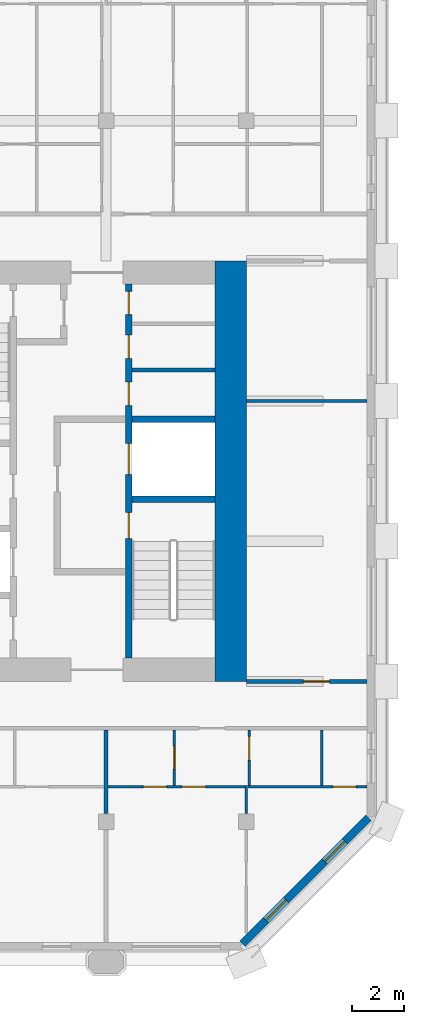
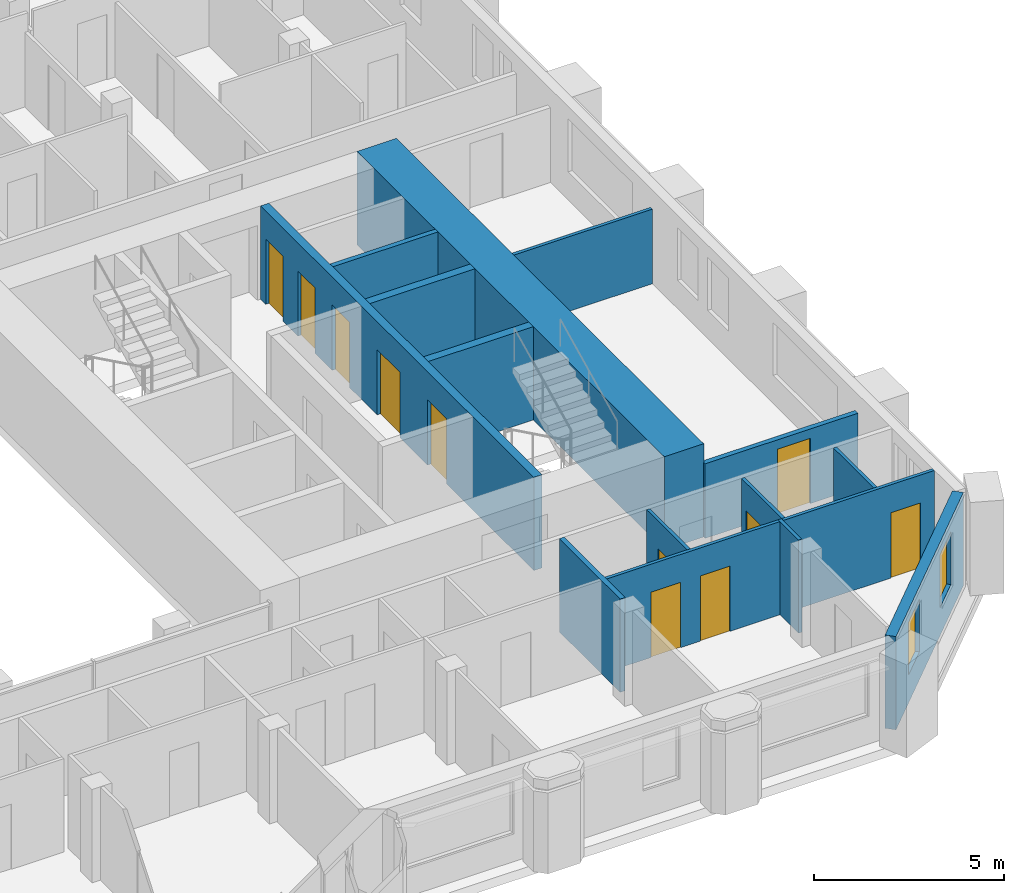
# One storey, part 7 of 13: 15 walls, 11 doors, 2 windows, 13 openings.
"""IFC4 building model written with IfcOpenShell, lengths in metres."""

from ifc_helpers import new_model, si_unit, direction, frame, frame_2d, origin, place, context, subcontext, project, spatial, rectangle, extrude, material, layer, layer_set, type_object, element, fill, save


model = new_model("IFC4")

# Units and contexts
model_context = context("Model", 3, precision=1e-05, world=origin(), true_north=direction((0.0, 1.0)))
body_context = subcontext(model_context, "Body", "Model", "MODEL_VIEW")
ifc_project = project(units=[si_unit("LENGTHUNIT", "METRE"), si_unit("AREAUNIT", "SQUARE_METRE"), si_unit("VOLUMEUNIT", "CUBIC_METRE"), si_unit("PLANEANGLEUNIT", "RADIAN"), si_unit("MASSUNIT", "GRAM", prefix="KILO")], contexts=[model_context])

# Site, building, storey
site_placement = place(None, origin())
site = spatial("IfcSite", under=ifc_project, at=site_placement, CompositionType="ELEMENT")
building_placement = place(site_placement, origin())
building = spatial("IfcBuilding", under=site, at=building_placement, Name="Tabaq Tower and Sports Hall", CompositionType="ELEMENT")
storey_placement = place(building_placement, frame((0.0, 0.0, 298.300048828125)))
storey = spatial("IfcBuildingStorey", under=building, at=storey_placement, Name="L74", CompositionType="ELEMENT", Elevation=298.300048828125)

# Walls
ifc_material_1 = material(Name="Blockwork", Category="masonry")
ifc_layer_1 = layer(ifc_material_1, 0.14990234375)
ifc_layer_set_1 = layer_set([ifc_layer_1], Name="Core room partition 150 Blockwork")
wall_type_1 = type_object("IfcWallType", Name="Core room partition 150 Blockwork", PredefinedType="PARTITIONING", material=ifc_layer_set_1)
wall_1_placement = place(storey_placement, frame((38.800048828125, 28.200927734375, 0.0), z_axis=(0.0, 0.0, 1.0), x_axis=(1.0, 0.0, 0.0)))
element("IfcWall", 1, at=wall_1_placement, inside=storey, type_object=wall_type_1, Name="Core room partition E L74", PredefinedType="PARTITIONING", context=body_context, shape_type="SweptSolid", body=[
    extrude(rectangle(XDim=3.199951171875, YDim=0.14990234375, at=frame_2d((1.60009765625, 0.0))), origin(), (0.0, 0.0, 1.0), 3.0),
])
ifc_material_2 = material(Name="Concrete C40/50", Category="concrete")
ifc_layer_2 = layer(ifc_material_2, 1.199951171875)
ifc_layer_set_2 = layer_set([ifc_layer_2], Name="Core wall 1200 Concrete C40/50")
wall_type_2 = type_object("IfcWallType", Name="Core wall 1200 Concrete C40/50", PredefinedType="SOLIDWALL", material=ifc_layer_set_2)
wall_2_placement = place(storey_placement, frame((42.60009765625, 32.39990234375, 0.0), z_axis=(0.0, 0.0, 1.0), x_axis=(0.0, -1.0, 0.0)))
element("IfcWall", 2, at=wall_2_placement, inside=storey, type_object=wall_type_2, Name="Core wall E L74", PredefinedType="SOLIDWALL", context=body_context, shape_type="SweptSolid", body=[
    extrude(rectangle(XDim=16.199951171875, YDim=1.199951171875, at=frame_2d((8.10009765625, 0.0))), origin(), (0.0, 0.0, 1.0), 3.0),
])
ifc_material_3 = material(Name="Gypsum board on steel studs", Category="steel")
ifc_layer_3 = layer(ifc_material_3, 0.10009765625)
ifc_layer_set_3 = layer_set([ifc_layer_3], Name="Partition 100 Gypsum board")
wall_type_3 = type_object("IfcWallType", Name="Partition 100 Gypsum board", PredefinedType="PARTITIONING", material=ifc_layer_set_3)
wall_3_placement = place(storey_placement, frame((43.199951171875, 27.0, 0.0), z_axis=(0.0, 0.0, 1.0), x_axis=(1.0, 0.0, 0.0)))
element("IfcWall", 3, at=wall_3_placement, inside=storey, type_object=wall_type_3, Name="Partition wall L74", PredefinedType="PARTITIONING", context=body_context, shape_type="SweptSolid", body=[
    extrude(rectangle(XDim=4.649169921875, YDim=0.10009765625, at=frame_2d((2.32470703125, 0.0))), origin(), (0.0, 0.0, 1.0), 2.39990234375),
])
wall_4_placement = place(storey_placement, frame((43.199951171875, 11.1201171875, 0.0), z_axis=(0.0, 0.0, 1.0), x_axis=(0.0, 1.0, 0.0)))
element("IfcWall", 4, at=wall_4_placement, inside=storey, type_object=wall_type_3, Name="Partition wall L74", PredefinedType="PARTITIONING", context=body_context, shape_type="SweptSolid", body=[
    extrude(rectangle(XDim=1.079833984375, YDim=0.10009765625, at=frame_2d((0.5400390625, 0.0))), origin(), (0.0, 0.0, 1.0), 3.0),
])

# Wall, openings, doors
wall_5_placement = place(storey_placement, frame((43.14990234375, 12.14990234375, 0.0), z_axis=(0.0, 0.0, 1.0), x_axis=(-1.0, 0.0, 0.0)))
wall_5 = element("IfcWall", 5, at=wall_5_placement, inside=storey, type_object=wall_type_3, Name="Partition wall L74", PredefinedType="PARTITIONING", context=body_context, shape_type="SweptSolid", body=[
    extrude(rectangle(XDim=5.27490234375, YDim=0.10009765625, at=frame_2d((2.637451171875, 0.0))), origin(), (0.0, 0.0, 1.0), 3.0),
])
opening_1_placement = place(wall_5_placement, frame((3.01708984375, 0.0, 0.0)))
opening_1 = element("IfcOpeningElement", 6, at=opening_1_placement, cuts=wall_5, Name="Opening L74-049", PredefinedType="OPENING", context=body_context, shape_type="SweptSolid", body=[
    extrude(rectangle(XDim=0.89990234375, YDim=2.10009765625, at=frame_2d((0.449951171875, 1.050048828125))), frame((0.0, 0.050048828125, 0.0), z_axis=(0.0, -1.0, 0.0), x_axis=(1.0, 0.0, 0.0)), (0.0, 0.0, 1.0), 0.10009765625),
])
opening_2_placement = place(wall_5_placement, frame((1.51708984375, 0.0, 0.0)))
opening_2 = element("IfcOpeningElement", 7, at=opening_2_placement, cuts=wall_5, Name="Opening L74-058", PredefinedType="OPENING", context=body_context, shape_type="SweptSolid", body=[
    extrude(rectangle(XDim=0.89990234375, YDim=2.10009765625, at=frame_2d((0.449951171875, 1.050048828125))), frame((0.0, 0.050048828125, 0.0), z_axis=(0.0, -1.0, 0.0), x_axis=(1.0, 0.0, 0.0)), (0.0, 0.0, 1.0), 0.10009765625),
])
ifc_material_4 = material(Name="Timber leaf in steel frame", Category="steel")
door_type_1 = type_object("IfcDoorType", Name="Internal door 900 left hand", OperationType="SINGLE_SWING_LEFT", PredefinedType="DOOR", material=ifc_material_4)
door_1_placement = place(opening_1_placement, origin())
door_1 = element("IfcDoor", 8, at=door_1_placement, inside=storey, type_object=door_type_1, Name="Internal door L74-049", OperationType="SINGLE_SWING_LEFT", OverallHeight=2.10009765625, OverallWidth=0.89990234375, PredefinedType="DOOR", context=body_context, shape_type="SweptSolid", body=[
    extrude(rectangle(XDim=0.89990234375, YDim=2.10009765625, at=frame_2d((0.449951171875, 1.050048828125))), frame((0.0, 0.02490234375, 0.0), z_axis=(0.0, -1.0, 0.0), x_axis=(1.0, 0.0, 0.0)), (0.0, 0.0, 1.0), 0.050048828125),
])
fill(opening_1, door_1)
ifc_material_5 = material(Name="Timber leaf in steel frame", Category="steel")
door_type_2 = type_object("IfcDoorType", Name="Internal door 900 right hand", OperationType="SINGLE_SWING_RIGHT", PredefinedType="DOOR", material=ifc_material_5)
door_2_placement = place(opening_2_placement, origin())
door_2 = element("IfcDoor", 9, at=door_2_placement, inside=storey, type_object=door_type_2, Name="Internal door L74-058", OperationType="SINGLE_SWING_RIGHT", OverallHeight=2.10009765625, OverallWidth=0.89990234375, PredefinedType="DOOR", context=body_context, shape_type="SweptSolid", body=[
    extrude(rectangle(XDim=0.89990234375, YDim=2.10009765625, at=frame_2d((0.449951171875, 1.050048828125))), frame((0.0, 0.02490234375, 0.0), z_axis=(0.0, -1.0, 0.0), x_axis=(1.0, 0.0, 0.0)), (0.0, 0.0, 1.0), 0.050048828125),
])
fill(opening_2, door_2)

# Wall, opening, door
wall_6_placement = place(storey_placement, frame((47.84912109375, 12.14990234375, 0.0), z_axis=(0.0, 0.0, 1.0), x_axis=(-1.0, 0.0, 0.0)))
wall_6 = element("IfcWall", 10, at=wall_6_placement, inside=storey, type_object=wall_type_3, Name="Partition wall L74", PredefinedType="PARTITIONING", context=body_context, shape_type="SweptSolid", body=[
    extrude(rectangle(XDim=4.587158203125, YDim=0.10009765625, at=frame_2d((2.29345703125, 0.0))), origin(), (0.0, 0.0, 1.0), 3.0),
])
opening_3_placement = place(wall_6_placement, frame((0.41796875, 0.0, 0.0)))
opening_3 = element("IfcOpeningElement", 11, at=opening_3_placement, cuts=wall_6, Name="Opening L74-025", PredefinedType="OPENING", context=body_context, shape_type="SweptSolid", body=[
    extrude(rectangle(XDim=0.89990234375, YDim=2.10009765625, at=frame_2d((0.449951171875, 1.050048828125))), frame((0.0, 0.050048828125, 0.0), z_axis=(0.0, -1.0, 0.0), x_axis=(1.0, 0.0, 0.0)), (0.0, 0.0, 1.0), 0.10009765625),
])
door_3_placement = place(opening_3_placement, origin())
door_3 = element("IfcDoor", 12, at=door_3_placement, inside=storey, type_object=door_type_2, Name="Internal door L74-025", OperationType="SINGLE_SWING_RIGHT", OverallHeight=2.10009765625, OverallWidth=0.89990234375, PredefinedType="DOOR", context=body_context, shape_type="SweptSolid", body=[
    extrude(rectangle(XDim=0.89990234375, YDim=2.10009765625, at=frame_2d((0.449951171875, 1.050048828125))), frame((0.0, 0.02490234375, 0.0), z_axis=(0.0, -1.0, 0.0), x_axis=(1.0, 0.0, 0.0)), (0.0, 0.0, 1.0), 0.050048828125),
])
fill(opening_3, door_3)

wall_7_placement = place(storey_placement, frame((40.43310546875, 12.199951171875, 0.0), z_axis=(0.0, 0.0, 1.0), x_axis=(0.0, 1.0, 0.0)))
wall_7 = element("IfcWall", 13, at=wall_7_placement, inside=storey, type_object=wall_type_3, Name="Partition wall L74", PredefinedType="PARTITIONING", context=body_context, shape_type="SweptSolid", body=[
    extrude(rectangle(XDim=2.125, YDim=0.10009765625, at=frame_2d((1.0625, 0.0))), origin(), (0.0, 0.0, 1.0), 3.0),
])
opening_4_placement = place(wall_7_placement, frame((0.625, 0.0, 0.0)))
opening_4 = element("IfcOpeningElement", 14, at=opening_4_placement, cuts=wall_7, Name="Opening L74-050", PredefinedType="OPENING", context=body_context, shape_type="SweptSolid", body=[
    extrude(rectangle(XDim=0.89990234375, YDim=2.10009765625, at=frame_2d((0.449951171875, 1.050048828125))), frame((0.0, 0.050048828125, 0.0), z_axis=(0.0, -1.0, 0.0), x_axis=(1.0, 0.0, 0.0)), (0.0, 0.0, 1.0), 0.10009765625),
])
door_4_placement = place(opening_4_placement, origin())
door_4 = element("IfcDoor", 15, at=door_4_placement, inside=storey, type_object=door_type_1, Name="Internal door L74-050", OperationType="SINGLE_SWING_LEFT", OverallHeight=2.10009765625, OverallWidth=0.89990234375, PredefinedType="DOOR", context=body_context, shape_type="SweptSolid", body=[
    extrude(rectangle(XDim=0.89990234375, YDim=2.10009765625, at=frame_2d((0.449951171875, 1.050048828125))), frame((0.0, 0.02490234375, 0.0), z_axis=(0.0, -1.0, 0.0), x_axis=(1.0, 0.0, 0.0)), (0.0, 0.0, 1.0), 0.050048828125),
])
fill(opening_4, door_4)

wall_8_placement = place(storey_placement, frame((43.31201171875, 12.199951171875, 0.0), z_axis=(0.0, 0.0, 1.0), x_axis=(0.0, 1.0, 0.0)))
wall_8 = element("IfcWall", 16, at=wall_8_placement, inside=storey, type_object=wall_type_3, Name="Partition wall L74", PredefinedType="PARTITIONING", context=body_context, shape_type="SweptSolid", body=[
    extrude(rectangle(XDim=2.125, YDim=0.10009765625, at=frame_2d((1.0625, 0.0))), origin(), (0.0, 0.0, 1.0), 3.0),
])
opening_5_placement = place(wall_8_placement, frame((0.97509765625, 0.0, 0.0)))
opening_5 = element("IfcOpeningElement", 17, at=opening_5_placement, cuts=wall_8, Name="Opening L74-026", PredefinedType="OPENING", context=body_context, shape_type="SweptSolid", body=[
    extrude(rectangle(XDim=0.89990234375, YDim=2.10009765625, at=frame_2d((0.449951171875, 1.050048828125))), frame((0.0, 0.050048828125, 0.0), z_axis=(0.0, -1.0, 0.0), x_axis=(1.0, 0.0, 0.0)), (0.0, 0.0, 1.0), 0.10009765625),
])
door_5_placement = place(opening_5_placement, origin())
door_5 = element("IfcDoor", 18, at=door_5_placement, inside=storey, type_object=door_type_1, Name="Internal door L74-026", OperationType="SINGLE_SWING_LEFT", OverallHeight=2.10009765625, OverallWidth=0.89990234375, PredefinedType="DOOR", context=body_context, shape_type="SweptSolid", body=[
    extrude(rectangle(XDim=0.89990234375, YDim=2.10009765625, at=frame_2d((0.449951171875, 1.050048828125))), frame((0.0, 0.02490234375, 0.0), z_axis=(0.0, -1.0, 0.0), x_axis=(1.0, 0.0, 0.0)), (0.0, 0.0, 1.0), 0.050048828125),
])
fill(opening_5, door_5)

# Walls
wall_9_placement = place(storey_placement, frame((46.112060546875, 12.199951171875, 0.0), z_axis=(0.0, 0.0, 1.0), x_axis=(0.0, 1.0, 0.0)))
element("IfcWall", 19, at=wall_9_placement, inside=storey, type_object=wall_type_3, Name="Partition wall L74", PredefinedType="PARTITIONING", context=body_context, shape_type="SweptSolid", body=[
    extrude(rectangle(XDim=2.125, YDim=0.10009765625, at=frame_2d((1.0625, 0.0))), origin(), (0.0, 0.0, 1.0), 3.0),
])
ifc_material_6 = material(Name="Blockwork", Category="masonry")
ifc_layer_4 = layer(ifc_material_6, 0.14990234375)
ifc_layer_set_4 = layer_set([ifc_layer_4], Name="Separating wall 150 Blockwork")
wall_type_4 = type_object("IfcWallType", Name="Separating wall 150 Blockwork", PredefinedType="PARTITIONING", material=ifc_layer_set_4)
wall_10_placement = place(storey_placement, frame((37.800048828125, 11.1201171875, 0.0), z_axis=(0.0, 0.0, 1.0), x_axis=(0.0, 1.0, 0.0)))
element("IfcWall", 20, at=wall_10_placement, inside=storey, type_object=wall_type_4, Name="Separating wall L74", PredefinedType="PARTITIONING", context=body_context, shape_type="SweptSolid", body=[
    extrude(rectangle(XDim=3.204833984375, YDim=0.14990234375, at=frame_2d((1.6025390625, 0.0))), origin(), (0.0, 0.0, 1.0), 3.0),
])

# Wall, opening, door
wall_11_placement = place(storey_placement, frame((43.199951171875, 16.199951171875, 0.0), z_axis=(0.0, 0.0, 1.0), x_axis=(1.0, 0.0, 0.0)))
wall_11 = element("IfcWall", 21, at=wall_11_placement, inside=storey, type_object=wall_type_4, Name="Separating wall L74", PredefinedType="PARTITIONING", context=body_context, shape_type="SweptSolid", body=[
    extrude(rectangle(XDim=4.649169921875, YDim=0.14990234375, at=frame_2d((2.32470703125, 0.0))), origin(), (0.0, 0.0, 1.0), 2.39990234375),
])
opening_6_placement = place(wall_11_placement, frame((2.199951171875, 0.0, 0.0)))
opening_6 = element("IfcOpeningElement", 22, at=opening_6_placement, cuts=wall_11, Name="Opening L74-027", PredefinedType="OPENING", context=body_context, shape_type="SweptSolid", body=[
    extrude(rectangle(XDim=1.0, YDim=2.10009765625, at=frame_2d((0.5, 1.050048828125))), frame((0.0, 0.074951171875, 0.0), z_axis=(0.0, -1.0, 0.0), x_axis=(1.0, 0.0, 0.0)), (0.0, 0.0, 1.0), 0.14990234375),
])
ifc_material_7 = material(Name="Timber leaf in steel frame", Category="steel")
door_type_3 = type_object("IfcDoorType", Name="Internal door 1000 left hand", OperationType="SINGLE_SWING_LEFT", PredefinedType="DOOR", material=ifc_material_7)
door_6_placement = place(opening_6_placement, origin())
door_6 = element("IfcDoor", 23, at=door_6_placement, inside=storey, type_object=door_type_3, Name="Internal door L74-027", OperationType="SINGLE_SWING_LEFT", OverallHeight=2.10009765625, OverallWidth=1.0, PredefinedType="DOOR", context=body_context, shape_type="SweptSolid", body=[
    extrude(rectangle(XDim=1.0, YDim=2.10009765625, at=frame_2d((0.5, 1.050048828125))), frame((0.0, 0.02490234375, 0.0), z_axis=(0.0, -1.0, 0.0), x_axis=(1.0, 0.0, 0.0)), (0.0, 0.0, 1.0), 0.050048828125),
])
fill(opening_6, door_6)

# Wall, openings, doors
ifc_material_8 = material(Name="Concrete C40/50", Category="concrete")
ifc_layer_5 = layer(ifc_material_8, 0.25)
ifc_layer_set_5 = layer_set([ifc_layer_5], Name="Shaft and stair wall 250 Concrete C40/50")
wall_type_5 = type_object("IfcWallType", Name="Shaft and stair wall 250 Concrete C40/50", PredefinedType="SOLIDWALL", material=ifc_layer_set_5)
wall_12_placement = place(storey_placement, frame((38.675048828125, 17.10009765625, 0.0), z_axis=(0.0, 0.0, 1.0), x_axis=(0.0, 1.0, 0.0)))
wall_12 = element("IfcWall", 24, at=wall_12_placement, inside=storey, type_object=wall_type_5, Name="Shaft wall E L74", PredefinedType="SOLIDWALL", context=body_context, shape_type="SweptSolid", body=[
    extrude(rectangle(XDim=14.39990234375, YDim=0.25, at=frame_2d((7.199951171875, 0.0))), origin(), (0.0, 0.0, 1.0), 3.0),
])
opening_7_placement = place(wall_12_placement, frame((4.60009765625, 0.0, 0.0)))
opening_7 = element("IfcOpeningElement", 25, at=opening_7_placement, cuts=wall_12, Name="Opening SD-EL74-03", PredefinedType="OPENING", context=body_context, shape_type="SweptSolid", body=[
    extrude(rectangle(XDim=1.0, YDim=2.10009765625, at=frame_2d((0.5, 1.050048828125))), frame((0.0, 0.125, 0.0), z_axis=(0.0, -1.0, 0.0), x_axis=(1.0, 0.0, 0.0)), (0.0, 0.0, 1.0), 0.25),
])
opening_8_placement = place(wall_12_placement, frame((7.0625, 0.0, 0.0)))
opening_8 = element("IfcOpeningElement", 26, at=opening_8_placement, cuts=wall_12, Name="Opening LD-FF2-L74", PredefinedType="OPENING", context=body_context, shape_type="SweptSolid", body=[
    extrude(rectangle(XDim=1.199951171875, YDim=2.10009765625, at=frame_2d((0.60009765625, 1.050048828125))), frame((0.0, 0.125, 0.0), z_axis=(0.0, -1.0, 0.0), x_axis=(1.0, 0.0, 0.0)), (0.0, 0.0, 1.0), 0.25),
])
opening_9_placement = place(wall_12_placement, frame((9.7255859375, 0.0, 0.0)))
opening_9 = element("IfcOpeningElement", 27, at=opening_9_placement, cuts=wall_12, Name="Opening RD-EL74-09", PredefinedType="OPENING", context=body_context, shape_type="SweptSolid", body=[
    extrude(rectangle(XDim=0.89990234375, YDim=2.10009765625, at=frame_2d((0.449951171875, 1.050048828125))), frame((0.0, 0.125, 0.0), z_axis=(0.0, -1.0, 0.0), x_axis=(1.0, 0.0, 0.0)), (0.0, 0.0, 1.0), 0.25),
])
opening_10_placement = place(wall_12_placement, frame((11.5390625, 0.0, 0.0)))
opening_10 = element("IfcOpeningElement", 28, at=opening_10_placement, cuts=wall_12, Name="Opening RD-EL74-10", PredefinedType="OPENING", context=body_context, shape_type="SweptSolid", body=[
    extrude(rectangle(XDim=0.89990234375, YDim=2.10009765625, at=frame_2d((0.449951171875, 1.050048828125))), frame((0.0, 0.125, 0.0), z_axis=(0.0, -1.0, 0.0), x_axis=(1.0, 0.0, 0.0)), (0.0, 0.0, 1.0), 0.25),
])
opening_11_placement = place(wall_12_placement, frame((13.22607421875, 0.0, 0.0)))
opening_11 = element("IfcOpeningElement", 29, at=opening_11_placement, cuts=wall_12, Name="Opening RD-EL74-11", PredefinedType="OPENING", context=body_context, shape_type="SweptSolid", body=[
    extrude(rectangle(XDim=0.89990234375, YDim=2.10009765625, at=frame_2d((0.449951171875, 1.050048828125))), frame((0.0, 0.125, 0.0), z_axis=(0.0, -1.0, 0.0), x_axis=(1.0, 0.0, 0.0)), (0.0, 0.0, 1.0), 0.25),
])
ifc_material_9 = material(Name="Steel fire door", Category="steel")
door_type_4 = type_object("IfcDoorType", Name="Core room door 900", OperationType="SINGLE_SWING_LEFT", PredefinedType="DOOR", material=ifc_material_9)
door_7_placement = place(opening_9_placement, origin())
door_7 = element("IfcDoor", 30, at=door_7_placement, inside=storey, type_object=door_type_4, Name="Door Cleaner's Store E L74", OperationType="SINGLE_SWING_LEFT", OverallHeight=2.10009765625, OverallWidth=0.89990234375, PredefinedType="DOOR", context=body_context, shape_type="SweptSolid", body=[
    extrude(rectangle(XDim=0.89990234375, YDim=2.10009765625, at=frame_2d((0.449951171875, 1.050048828125))), frame((0.0, 0.02490234375, 0.0), z_axis=(0.0, -1.0, 0.0), x_axis=(1.0, 0.0, 0.0)), (0.0, 0.0, 1.0), 0.050048828125),
])
fill(opening_9, door_7)
door_8_placement = place(opening_10_placement, origin())
door_8 = element("IfcDoor", 31, at=door_8_placement, inside=storey, type_object=door_type_4, Name="Door Refuse Room E L74", OperationType="SINGLE_SWING_LEFT", OverallHeight=2.10009765625, OverallWidth=0.89990234375, PredefinedType="DOOR", context=body_context, shape_type="SweptSolid", body=[
    extrude(rectangle(XDim=0.89990234375, YDim=2.10009765625, at=frame_2d((0.449951171875, 1.050048828125))), frame((0.0, 0.02490234375, 0.0), z_axis=(0.0, -1.0, 0.0), x_axis=(1.0, 0.0, 0.0)), (0.0, 0.0, 1.0), 0.050048828125),
])
fill(opening_10, door_8)
door_9_placement = place(opening_11_placement, origin())
door_9 = element("IfcDoor", 32, at=door_9_placement, inside=storey, type_object=door_type_4, Name="Door Riser Room E L74", OperationType="SINGLE_SWING_LEFT", OverallHeight=2.10009765625, OverallWidth=0.89990234375, PredefinedType="DOOR", context=body_context, shape_type="SweptSolid", body=[
    extrude(rectangle(XDim=0.89990234375, YDim=2.10009765625, at=frame_2d((0.449951171875, 1.050048828125))), frame((0.0, 0.02490234375, 0.0), z_axis=(0.0, -1.0, 0.0), x_axis=(1.0, 0.0, 0.0)), (0.0, 0.0, 1.0), 0.050048828125),
])
fill(opening_11, door_9)
ifc_material_10 = material(Name="Stainless steel", Category="steel")
door_type_5 = type_object("IfcDoorType", Name="Lift landing door 1200", OperationType="DOUBLE_DOOR_SLIDING", PredefinedType="DOOR", material=ifc_material_10)
door_10_placement = place(opening_8_placement, origin())
door_10 = element("IfcDoor", 33, at=door_10_placement, inside=storey, type_object=door_type_5, Name="Lift landing door FF2 E L74", OperationType="DOUBLE_DOOR_SLIDING", OverallHeight=2.10009765625, OverallWidth=1.199951171875, PredefinedType="DOOR", context=body_context, shape_type="SweptSolid", body=[
    extrude(rectangle(XDim=1.199951171875, YDim=2.10009765625, at=frame_2d((0.60009765625, 1.050048828125))), frame((0.0, 0.02490234375, 0.0), z_axis=(0.0, -1.0, 0.0), x_axis=(1.0, 0.0, 0.0)), (0.0, 0.0, 1.0), 0.050048828125),
])
fill(opening_8, door_10)
ifc_material_11 = material(Name="Steel fire door", Category="steel")
door_type_6 = type_object("IfcDoorType", Name="Stair door 1000", OperationType="SINGLE_SWING_LEFT", PredefinedType="DOOR", material=ifc_material_11)
door_11_placement = place(opening_7_placement, origin())
door_11 = element("IfcDoor", 34, at=door_11_placement, inside=storey, type_object=door_type_6, Name="Stair door ST3 E L74", OperationType="SINGLE_SWING_LEFT", OverallHeight=2.10009765625, OverallWidth=1.0, PredefinedType="DOOR", context=body_context, shape_type="SweptSolid", body=[
    extrude(rectangle(XDim=1.0, YDim=2.10009765625, at=frame_2d((0.5, 1.050048828125))), frame((0.0, 0.02490234375, 0.0), z_axis=(0.0, -1.0, 0.0), x_axis=(1.0, 0.0, 0.0)), (0.0, 0.0, 1.0), 0.050048828125),
])
fill(opening_7, door_11)

# Walls
for number, where, z_axis, x_axis, name in (
    (35, (38.800048828125, 23.22509765625, 0.0), (0.0, 0.0, 1.0), (1.0, 0.0, 0.0), "Stair enclosure wall E L74"),
    (36, (38.800048828125, 26.300048828125, 0.0), (0.0, 0.0, 1.0), (1.0, 0.0, 0.0), "Shaft wall E L74"),
):
    element("IfcWall", number, at=place(storey_placement, frame(where, z_axis=z_axis, x_axis=x_axis)), inside=storey, type_object=wall_type_5, Name=name, PredefinedType="SOLIDWALL", context=body_context, shape_type="SweptSolid", body=[
        extrude(rectangle(XDim=3.199951171875, YDim=0.25, at=frame_2d((1.60009765625, 0.0))), origin(), (0.0, 0.0, 1.0), 3.0),
    ])

# Wall, openings, windows
ifc_material_12 = material(Name="White precast concrete C60/75", Category="concrete")
ifc_layer_6 = layer(ifc_material_12, 0.300048828125)
ifc_layer_set_6 = layer_set([ifc_layer_6], Name="White precast concrete C60/75 external wall 300")
wall_type_6 = type_object("IfcWallType", Name="White precast concrete C60/75 external wall 300", PredefinedType="SOLIDWALL", material=ifc_layer_set_6)
wall_13_placement = place(storey_placement, frame((43.050537109375, 6.098876953125, 0.0), z_axis=(0.0, 0.0, 1.0), x_axis=(0.707106781187, 0.707106781187, 0.0)))
wall_13 = element("IfcWall", 37, at=wall_13_placement, inside=storey, type_object=wall_type_6, Name="External Wall L74 SE", PredefinedType="SOLIDWALL", context=body_context, shape_type="SweptSolid", body=[
    extrude(rectangle(XDim=6.85986328125, YDim=0.300048828125, at=frame_2d((3.429931640625, 0.0))), origin(), (0.0, 0.0, 1.0), 3.0),
])
opening_12_placement = place(wall_13_placement, frame((1.27978515625, 0.0, 0.89990234375)))
opening_12 = element("IfcOpeningElement", 38, at=opening_12_placement, cuts=wall_13, Name="Opening W1B", PredefinedType="OPENING", context=body_context, shape_type="SweptSolid", body=[
    extrude(rectangle(XDim=1.10009765625, YDim=1.699951171875, at=frame_2d((0.550048828125, 0.85009765625))), frame((0.0, 0.16015625, 0.0), z_axis=(0.0, -1.0, 0.0), x_axis=(1.0, 0.0, 0.0)), (0.0, 0.0, 1.0), 0.320068359375),
])
opening_13_placement = place(wall_13_placement, frame((4.479736328125, 0.0, 0.89990234375)))
opening_13 = element("IfcOpeningElement", 39, at=opening_13_placement, cuts=wall_13, Name="Opening W1B", PredefinedType="OPENING", context=body_context, shape_type="SweptSolid", body=[
    extrude(rectangle(XDim=1.10009765625, YDim=1.699951171875, at=frame_2d((0.550048828125, 0.85009765625))), frame((0.0, 0.16015625, 0.0), z_axis=(0.0, -1.0, 0.0), x_axis=(1.0, 0.0, 0.0)), (0.0, 0.0, 1.0), 0.320068359375),
])
ifc_material_13 = material(Name="Aluminium framed clear glazing", Category="aluminium")
window_type = type_object("IfcWindowType", Name="Window W1B", PartitioningType="SINGLE_PANEL", PredefinedType="WINDOW", material=ifc_material_13)
window_1_placement = place(opening_12_placement, origin())
window_1 = element("IfcWindow", 40, at=window_1_placement, inside=storey, type_object=window_type, Name="Window W1B L74", OverallHeight=1.699951171875, OverallWidth=1.10009765625, PartitioningType="SINGLE_PANEL", PredefinedType="WINDOW", context=body_context, shape_type="SweptSolid", body=[
    extrude(rectangle(XDim=1.10009765625, YDim=1.699951171875, at=frame_2d((0.550048828125, 0.85009765625))), frame((0.0, 0.030029296875, 0.0), z_axis=(0.0, -1.0, 0.0), x_axis=(1.0, 0.0, 0.0)), (0.0, 0.0, 1.0), 0.06005859375),
])
fill(opening_12, window_1)
window_2_placement = place(opening_13_placement, origin())
window_2 = element("IfcWindow", 41, at=window_2_placement, inside=storey, type_object=window_type, Name="Window W1B L74", OverallHeight=1.699951171875, OverallWidth=1.10009765625, PartitioningType="SINGLE_PANEL", PredefinedType="WINDOW", context=body_context, shape_type="SweptSolid", body=[
    extrude(rectangle(XDim=1.10009765625, YDim=1.699951171875, at=frame_2d((0.550048828125, 0.85009765625))), frame((0.0, 0.030029296875, 0.0), z_axis=(0.0, -1.0, 0.0), x_axis=(1.0, 0.0, 0.0)), (0.0, 0.0, 1.0), 0.06005859375),
])
fill(opening_13, window_2)

save(model, "model.ifc")
